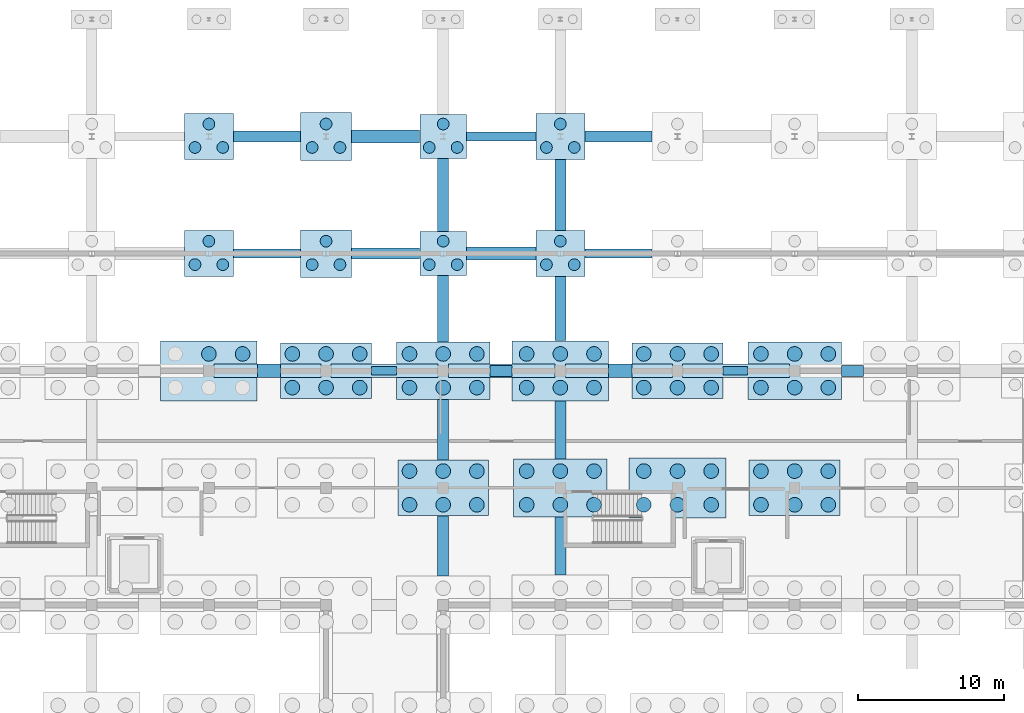
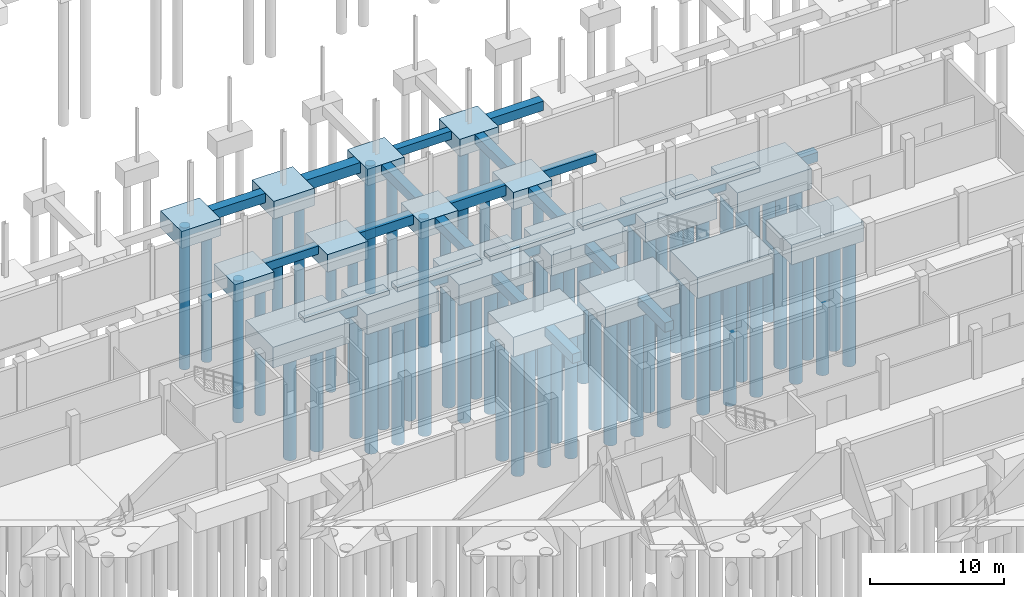
# One storey, part 15 of 51: 80 piles, 45 footings.
"""IFC4 building model written with IfcOpenShell, lengths in metres."""

from ifc_helpers import new_model, si_unit, direction, frame, origin, origin_2d, place, context, subcontext, project, spatial, rectangle, circle, extrude, material, material_profile, profile_set, type_object, element, save


model = new_model("IFC4")

# Units and contexts
model_context = context("Model", 3, precision=1e-05, world=origin(), true_north=direction((0.0, 1.0)))
body_context = subcontext(model_context, "Body", "Model", "MODEL_VIEW")
ifc_project = project(units=[si_unit("LENGTHUNIT", "METRE"), si_unit("AREAUNIT", "SQUARE_METRE"), si_unit("VOLUMEUNIT", "CUBIC_METRE"), si_unit("PLANEANGLEUNIT", "RADIAN"), si_unit("MASSUNIT", "GRAM", prefix="KILO")], contexts=[model_context])

# Site, building, storey
site_placement = place(None, origin())
site = spatial("IfcSite", under=ifc_project, at=site_placement, CompositionType="ELEMENT")
building_placement = place(site_placement, origin())
building = spatial("IfcBuilding", under=site, at=building_placement, Name="Jelvoka-Kovrelna Polytechnic", CompositionType="ELEMENT")
storey_placement = place(building_placement, frame((0.0, 0.0, -4.5)))
storey = spatial("IfcBuildingStorey", under=building, at=storey_placement, Name="B01", CompositionType="ELEMENT", Elevation=-4.5)

# Footings
ifc_material_1 = material(Name="Concrete C35/45", Category="concrete")
footing_type_1 = type_object("IfcFootingType", Name="Footing_PileCap_PC3A", PredefinedType="PILE_CAP", material=ifc_material_1)
for number, where, z_axis, x_axis, name in (
    (1, (152.0, 80.0, -1.905029296875), (0.0, 0.0, 1.0), (1.0, 0.0, 0.0), "Bored pile cap 228 (PC-3)"),
    (2, (152.0, 88.0, -1.905029296875), (0.0, 0.0, 1.0), (1.0, 0.0, 0.0), "Bored pile cap 243 (PC-3)"),
):
    element("IfcFooting", number, at=place(storey_placement, frame(where, z_axis=z_axis, x_axis=x_axis)), inside=storey, type_object=footing_type_1, Name=name, PredefinedType="PILE_CAP", context=body_context, shape_type="SweptSolid", body=[
        extrude(rectangle(XDim=3.199951171875, YDim=3.0, at=origin_2d()), origin(), (0.0, 0.0, 1.0), 1.5),
    ])
ifc_material_2 = material(Name="Concrete C35/45", Category="concrete")
footing_type_2 = type_object("IfcFootingType", Name="Footing_PileCap_PC3B", PredefinedType="PILE_CAP", material=ifc_material_2)
for number, where, z_axis, x_axis, name in (
    (3, (136.0, 80.0, -1.955078125), (0.0, 0.0, 1.0), (1.0, 0.0, 0.0), "Bored pile cap 226 (PC-3)"),
    (4, (160.0, 80.0, -1.955078125), (0.0, 0.0, 1.0), (1.0, 0.0, 0.0), "Bored pile cap 229 (PC-3)"),
    (5, (136.0, 88.0, -1.955078125), (0.0, 0.0, 1.0), (1.0, 0.0, 0.0), "Bored pile cap 241 (PC-3)"),
    (6, (160.0, 88.0, -1.955078125), (0.0, 0.0, 1.0), (1.0, 0.0, 0.0), "Bored pile cap 244 (PC-3)"),
):
    element("IfcFooting", number, at=place(storey_placement, frame(where, z_axis=z_axis, x_axis=x_axis)), inside=storey, type_object=footing_type_2, Name=name, PredefinedType="PILE_CAP", context=body_context, shape_type="SweptSolid", body=[
        extrude(rectangle(XDim=3.35009765625, YDim=3.14990234375, at=origin_2d()), origin(), (0.0, 0.0, 1.0), 1.550048828125),
    ])
ifc_material_3 = material(Name="Concrete C35/45", Category="concrete")
footing_type_3 = type_object("IfcFootingType", Name="Footing_PileCap_PC3C", PredefinedType="PILE_CAP", material=ifc_material_3)
for number, where, z_axis, x_axis, name in (
    (7, (144.0, 80.0, -2.005126953125), (0.0, 0.0, 1.0), (1.0, 0.0, 0.0), "Bored pile cap 227 (PC-3)"),
    (8, (144.0, 88.0, -2.005126953125), (0.0, 0.0, 1.0), (1.0, 0.0, 0.0), "Bored pile cap 242 (PC-3)"),
):
    element("IfcFooting", number, at=place(storey_placement, frame(where, z_axis=z_axis, x_axis=x_axis)), inside=storey, type_object=footing_type_3, Name=name, PredefinedType="PILE_CAP", context=body_context, shape_type="SweptSolid", body=[
        extrude(rectangle(XDim=3.5, YDim=3.25, at=origin_2d()), origin(), (0.0, 0.0, 1.0), 1.60009765625),
    ])
ifc_material_4 = material(Name="Concrete C35/45", Category="concrete")
footing_type_4 = type_object("IfcFootingType", Name="Footing_PileCap_PC6A", PredefinedType="PILE_CAP", material=ifc_material_4)
for number, where, z_axis, x_axis, name in (
    (9, (152.0, 64.0, -2.205078125), (0.0, 0.0, 1.0), (1.0, 0.0, 0.0), "Bored pile cap 195 (PC-6)"),
    (10, (176.0, 64.0, -2.205078125), (0.0, 0.0, 1.0), (1.0, 0.0, 0.0), "Bored pile cap 198 (PC-6)"),
    (11, (144.0, 72.0, -2.205078125), (0.0, 0.0, 1.0), (1.0, 0.0, 0.0), "Bored pile cap 213 (PC-6)"),
    (12, (168.0, 72.0, -2.205078125), (0.0, 0.0, 1.0), (1.0, 0.0, 0.0), "Bored pile cap 216 (PC-6)"),
):
    element("IfcFooting", number, at=place(storey_placement, frame(where, z_axis=z_axis, x_axis=x_axis)), inside=storey, type_object=footing_type_4, Name=name, PredefinedType="PILE_CAP", context=body_context, shape_type="SweptSolid", body=[
        extrude(rectangle(XDim=6.199951171875, YDim=3.800048828125, at=origin_2d()), origin(), (0.0, 0.0, 1.0), 1.800048828125),
    ])
ifc_material_5 = material(Name="Concrete C35/45", Category="concrete")
footing_type_5 = type_object("IfcFootingType", Name="Footing_PileCap_PC6B", PredefinedType="PILE_CAP", material=ifc_material_5)
for number, where, z_axis, x_axis, name in (
    (13, (160.0, 64.0, -2.255126953125), (0.0, 0.0, 1.0), (1.0, 0.0, 0.0), "Bored pile cap 196 (PC-6)"),
    (14, (152.0, 72.0, -2.255126953125), (0.0, 0.0, 1.0), (1.0, 0.0, 0.0), "Bored pile cap 214 (PC-6)"),
    (15, (176.0, 72.0, -2.255126953125), (0.0, 0.0, 1.0), (1.0, 0.0, 0.0), "Bored pile cap 217 (PC-6)"),
):
    element("IfcFooting", number, at=place(storey_placement, frame(where, z_axis=z_axis, x_axis=x_axis)), inside=storey, type_object=footing_type_5, Name=name, PredefinedType="PILE_CAP", context=body_context, shape_type="SweptSolid", body=[
        extrude(rectangle(XDim=6.39990234375, YDim=3.949951171875, at=origin_2d()), origin(), (0.0, 0.0, 1.0), 1.85009765625),
    ])
ifc_material_6 = material(Name="Concrete C35/45", Category="concrete")
footing_type_6 = type_object("IfcFootingType", Name="Footing_PileCap_PC6C", PredefinedType="PILE_CAP", material=ifc_material_6)
for number, where, z_axis, x_axis, name in (
    (16, (168.0, 64.0, -2.304931640625), (0.0, 0.0, 1.0), (1.0, 0.0, 0.0), "Bored pile cap 197 (PC-6)"),
    (17, (136.0, 72.0, -2.304931640625), (0.0, 0.0, 1.0), (1.0, 0.0, 0.0), "Bored pile cap 212 (PC-6)"),
    (18, (160.0, 72.0, -2.304931640625), (0.0, 0.0, 1.0), (1.0, 0.0, 0.0), "Bored pile cap 215 (PC-6)"),
):
    element("IfcFooting", number, at=place(storey_placement, frame(where, z_axis=z_axis, x_axis=x_axis)), inside=storey, type_object=footing_type_6, Name=name, PredefinedType="PILE_CAP", context=body_context, shape_type="SweptSolid", body=[
        extrude(rectangle(XDim=6.60009765625, YDim=4.10009765625, at=origin_2d()), origin(), (0.0, 0.0, 1.0), 1.89990234375),
    ])
ifc_material_7 = material(Name="Concrete C35/45", Category="concrete")
footing_type_7 = type_object("IfcFootingType", Name="Footing_Strip_SF1", PredefinedType="STRIP_FOOTING", material=ifc_material_7)
footing_1_placement = place(storey_placement, frame((139.96240234375, 80.0, -1.155029296875), z_axis=(0.0, 0.0, 1.0), x_axis=(1.0, 0.0, 0.0)))
element("IfcFooting", 19, at=footing_1_placement, inside=storey, type_object=footing_type_7, Name="Strip foundation tie beam 179", PredefinedType="STRIP_FOOTING", context=body_context, shape_type="SweptSolid", body=[
    extrude(rectangle(XDim=4.571044921875, YDim=0.60009765625, at=origin_2d()), origin(), (0.0, 0.0, 1.0), 0.75),
])
footing_2_placement = place(storey_placement, frame((147.949951171875, 72.0, -1.155029296875), z_axis=(0.0, 0.0, 1.0), x_axis=(1.0, 0.0, 0.0)))
element("IfcFooting", 20, at=footing_2_placement, inside=storey, type_object=footing_type_7, Name="Strip foundation tie beam 187", PredefinedType="STRIP_FOOTING", context=body_context, shape_type="SweptSolid", body=[
    extrude(rectangle(XDim=1.696044921875, YDim=0.60009765625, at=origin_2d()), origin(), (0.0, 0.0, 1.0), 0.75),
])
footing_3_placement = place(storey_placement, frame((155.96240234375, 88.0, -1.155029296875), z_axis=(0.0, 0.0, 1.0), x_axis=(1.0, 0.0, 0.0)))
element("IfcFooting", 21, at=footing_3_placement, inside=storey, type_object=footing_type_7, Name="Strip foundation tie beam 209", PredefinedType="STRIP_FOOTING", context=body_context, shape_type="SweptSolid", body=[
    extrude(rectangle(XDim=4.720947265625, YDim=0.60009765625, at=origin_2d()), origin(), (0.0, 0.0, 1.0), 0.75),
])
footing_4_placement = place(storey_placement, frame((163.96240234375, 80.0, -1.155029296875), z_axis=(0.0, 0.0, 1.0), x_axis=(1.0, 0.0, 0.0)))
element("IfcFooting", 22, at=footing_4_placement, inside=storey, type_object=footing_type_7, Name="Strip foundation tie beam 228", PredefinedType="STRIP_FOOTING", context=body_context, shape_type="SweptSolid", body=[
    extrude(rectangle(XDim=4.571044921875, YDim=0.60009765625, at=origin_2d()), origin(), (0.0, 0.0, 1.0), 0.75),
])
footing_5_placement = place(storey_placement, frame((171.949951171875, 72.0, -1.155029296875), z_axis=(0.0, 0.0, 1.0), x_axis=(1.0, 0.0, 0.0)))
element("IfcFooting", 23, at=footing_5_placement, inside=storey, type_object=footing_type_7, Name="Strip foundation tie beam 238", PredefinedType="STRIP_FOOTING", context=body_context, shape_type="SweptSolid", body=[
    extrude(rectangle(XDim=1.696044921875, YDim=0.60009765625, at=origin_2d()), origin(), (0.0, 0.0, 1.0), 0.75),
])
ifc_material_8 = material(Name="Concrete C35/45", Category="concrete")
footing_type_8 = type_object("IfcFootingType", Name="Footing_Strip_SF2", PredefinedType="STRIP_FOOTING", material=ifc_material_8)
footing_6_placement = place(storey_placement, frame((139.96240234375, 88.0, -1.255126953125), z_axis=(0.0, 0.0, 1.0), x_axis=(1.0, 0.0, 0.0)))
element("IfcFooting", 24, at=footing_6_placement, inside=storey, type_object=footing_type_8, Name="Strip foundation tie beam 180", PredefinedType="STRIP_FOOTING", context=body_context, shape_type="SweptSolid", body=[
    extrude(rectangle(XDim=4.571044921875, YDim=0.75, at=origin_2d()), origin(), (0.0, 0.0, 1.0), 0.85009765625),
])
footing_7_placement = place(storey_placement, frame((148.074951171875, 80.0, -1.255126953125), z_axis=(0.0, 0.0, 1.0), x_axis=(1.0, 0.0, 0.0)))
element("IfcFooting", 25, at=footing_7_placement, inside=storey, type_object=footing_type_8, Name="Strip foundation tie beam 188", PredefinedType="STRIP_FOOTING", context=body_context, shape_type="SweptSolid", body=[
    extrude(rectangle(XDim=4.64599609375, YDim=0.75, at=origin_2d()), origin(), (0.0, 0.0, 1.0), 0.85009765625),
])
for number, where, z_axis, x_axis, name in (
    (26, (152.0, 60.03759765625, -1.255126953125), (0.0, 0.0, 1.0), (0.0, 1.0, 0.0), "Strip foundation tie beam 203"),
    (27, (152.0, 67.96240234375, -1.255126953125), (0.0, 0.0, 1.0), (0.0, 1.0, 0.0), "Strip foundation tie beam 204"),
):
    element("IfcFooting", number, at=place(storey_placement, frame(where, z_axis=z_axis, x_axis=x_axis)), inside=storey, type_object=footing_type_8, Name=name, PredefinedType="STRIP_FOOTING", context=body_context, shape_type="SweptSolid", body=[
        extrude(rectangle(XDim=4.12109375, YDim=0.75, at=origin_2d()), origin(), (0.0, 0.0, 1.0), 0.85009765625),
    ])
footing_8_placement = place(storey_placement, frame((155.949951171875, 72.0, -1.255126953125), z_axis=(0.0, 0.0, 1.0), x_axis=(1.0, 0.0, 0.0)))
element("IfcFooting", 28, at=footing_8_placement, inside=storey, type_object=footing_type_8, Name="Strip foundation tie beam 205", PredefinedType="STRIP_FOOTING", context=body_context, shape_type="SweptSolid", body=[
    extrude(rectangle(XDim=1.49609375, YDim=0.75, at=origin_2d()), origin(), (0.0, 0.0, 1.0), 0.85009765625),
])
footing_9_placement = place(storey_placement, frame((152.0, 76.237548828125, -1.255126953125), z_axis=(0.0, 0.0, 1.0), x_axis=(0.0, 1.0, 0.0)))
element("IfcFooting", 29, at=footing_9_placement, inside=storey, type_object=footing_type_8, Name="Strip foundation tie beam 206", PredefinedType="STRIP_FOOTING", context=body_context, shape_type="SweptSolid", body=[
    extrude(rectangle(XDim=4.52099609375, YDim=0.75, at=origin_2d()), origin(), (0.0, 0.0, 1.0), 0.85009765625),
])
footing_10_placement = place(storey_placement, frame((152.0, 84.0, -1.255126953125), z_axis=(0.0, 0.0, 1.0), x_axis=(0.0, 1.0, 0.0)))
element("IfcFooting", 30, at=footing_10_placement, inside=storey, type_object=footing_type_8, Name="Strip foundation tie beam 208", PredefinedType="STRIP_FOOTING", context=body_context, shape_type="SweptSolid", body=[
    extrude(rectangle(XDim=4.99609375, YDim=0.75, at=origin_2d()), origin(), (0.0, 0.0, 1.0), 0.85009765625),
])
for number, where, z_axis, x_axis, name in (
    (31, (160.0, 60.03759765625, -1.255126953125), (0.0, 0.0, 1.0), (0.0, 1.0, 0.0), "Strip foundation tie beam 224"),
    (32, (160.0, 67.96240234375, -1.255126953125), (0.0, 0.0, 1.0), (0.0, 1.0, 0.0), "Strip foundation tie beam 225"),
):
    element("IfcFooting", number, at=place(storey_placement, frame(where, z_axis=z_axis, x_axis=x_axis)), inside=storey, type_object=footing_type_8, Name=name, PredefinedType="STRIP_FOOTING", context=body_context, shape_type="SweptSolid", body=[
        extrude(rectangle(XDim=3.970947265625, YDim=0.75, at=origin_2d()), origin(), (0.0, 0.0, 1.0), 0.85009765625),
    ])
footing_11_placement = place(storey_placement, frame((160.0, 76.237548828125, -1.255126953125), z_axis=(0.0, 0.0, 1.0), x_axis=(0.0, 1.0, 0.0)))
element("IfcFooting", 33, at=footing_11_placement, inside=storey, type_object=footing_type_8, Name="Strip foundation tie beam 227", PredefinedType="STRIP_FOOTING", context=body_context, shape_type="SweptSolid", body=[
    extrude(rectangle(XDim=4.37109375, YDim=0.75, at=origin_2d()), origin(), (0.0, 0.0, 1.0), 0.85009765625),
])
footing_12_placement = place(storey_placement, frame((160.0, 84.0, -1.255126953125), z_axis=(0.0, 0.0, 1.0), x_axis=(0.0, 1.0, 0.0)))
element("IfcFooting", 34, at=footing_12_placement, inside=storey, type_object=footing_type_8, Name="Strip foundation tie beam 229", PredefinedType="STRIP_FOOTING", context=body_context, shape_type="SweptSolid", body=[
    extrude(rectangle(XDim=4.845947265625, YDim=0.75, at=origin_2d()), origin(), (0.0, 0.0, 1.0), 0.85009765625),
])
footing_13_placement = place(storey_placement, frame((163.96240234375, 88.0, -1.255126953125), z_axis=(0.0, 0.0, 1.0), x_axis=(1.0, 0.0, 0.0)))
element("IfcFooting", 35, at=footing_13_placement, inside=storey, type_object=footing_type_8, Name="Strip foundation tie beam 230", PredefinedType="STRIP_FOOTING", context=body_context, shape_type="SweptSolid", body=[
    extrude(rectangle(XDim=4.571044921875, YDim=0.75, at=origin_2d()), origin(), (0.0, 0.0, 1.0), 0.85009765625),
])
footing_14_placement = place(storey_placement, frame((179.949951171875, 72.0, -1.255126953125), z_axis=(0.0, 0.0, 1.0), x_axis=(1.0, 0.0, 0.0)))
element("IfcFooting", 36, at=footing_14_placement, inside=storey, type_object=footing_type_8, Name="Strip foundation tie beam 247", PredefinedType="STRIP_FOOTING", context=body_context, shape_type="SweptSolid", body=[
    extrude(rectangle(XDim=1.49609375, YDim=0.75, at=origin_2d()), origin(), (0.0, 0.0, 1.0), 0.85009765625),
])
ifc_material_9 = material(Name="Concrete C35/45", Category="concrete")
footing_type_9 = type_object("IfcFootingType", Name="Footing_Strip_SF3", PredefinedType="STRIP_FOOTING", material=ifc_material_9)
footing_15_placement = place(storey_placement, frame((140.10009765625, 72.0, -1.35498046875), z_axis=(0.0, 0.0, 1.0), x_axis=(1.0, 0.0, 0.0)))
element("IfcFooting", 37, at=footing_15_placement, inside=storey, type_object=footing_type_9, Name="Strip foundation tie beam 178", PredefinedType="STRIP_FOOTING", context=body_context, shape_type="SweptSolid", body=[
    extrude(rectangle(XDim=1.595947265625, YDim=0.89990234375, at=origin_2d()), origin(), (0.0, 0.0, 1.0), 0.949951171875),
])
footing_16_placement = place(storey_placement, frame((148.074951171875, 88.0, -1.35498046875), z_axis=(0.0, 0.0, 1.0), x_axis=(1.0, 0.0, 0.0)))
element("IfcFooting", 38, at=footing_16_placement, inside=storey, type_object=footing_type_9, Name="Strip foundation tie beam 189", PredefinedType="STRIP_FOOTING", context=body_context, shape_type="SweptSolid", body=[
    extrude(rectangle(XDim=4.64599609375, YDim=0.89990234375, at=origin_2d()), origin(), (0.0, 0.0, 1.0), 0.949951171875),
])
footing_17_placement = place(storey_placement, frame((155.96240234375, 80.0, -1.35498046875), z_axis=(0.0, 0.0, 1.0), x_axis=(1.0, 0.0, 0.0)))
element("IfcFooting", 39, at=footing_17_placement, inside=storey, type_object=footing_type_9, Name="Strip foundation tie beam 207", PredefinedType="STRIP_FOOTING", context=body_context, shape_type="SweptSolid", body=[
    extrude(rectangle(XDim=4.720947265625, YDim=0.89990234375, at=origin_2d()), origin(), (0.0, 0.0, 1.0), 0.949951171875),
])
footing_18_placement = place(storey_placement, frame((164.10009765625, 72.0, -1.35498046875), z_axis=(0.0, 0.0, 1.0), x_axis=(1.0, 0.0, 0.0)))
element("IfcFooting", 40, at=footing_18_placement, inside=storey, type_object=footing_type_9, Name="Strip foundation tie beam 226", PredefinedType="STRIP_FOOTING", context=body_context, shape_type="SweptSolid", body=[
    extrude(rectangle(XDim=1.595947265625, YDim=0.89990234375, at=origin_2d()), origin(), (0.0, 0.0, 1.0), 0.949951171875),
])
for number, where, z_axis, x_axis, name in (
    (41, (140.0, 72.0, -0.40478515625), (0.0, 0.0, 1.0), (1.0, 0.0, 0.0), "Strip foundation plinth beam B01W-091"),
    (42, (148.0, 72.0, -0.40478515625), (0.0, 0.0, 1.0), (1.0, 0.0, 0.0), "Strip foundation plinth beam B01W-092"),
    (43, (156.0, 72.0, -0.40478515625), (0.0, 0.0, 1.0), (1.0, 0.0, 0.0), "Strip foundation plinth beam B01W-094"),
    (44, (164.0, 72.0, -0.40478515625), (0.0, 0.0, 1.0), (1.0, 0.0, 0.0), "Strip foundation plinth beam B01W-096"),
    (45, (172.0, 72.0, -0.40478515625), (0.0, 0.0, 1.0), (1.0, 0.0, 0.0), "Strip foundation plinth beam B01W-098"),
):
    element("IfcFooting", number, at=place(storey_placement, frame(where, z_axis=z_axis, x_axis=x_axis)), inside=storey, type_object=footing_type_9, Name=name, PredefinedType="STRIP_FOOTING", context=body_context, shape_type="SweptSolid", body=[
        extrude(rectangle(XDim=7.300048828125, YDim=0.89990234375, at=origin_2d()), origin(), (0.0, 0.0, 1.0), 0.405029296875),
    ])

# Piles
ifc_material_10 = material(Name="Concrete C35/45", Category="concrete")
ifc_material_profile_1 = material_profile(ifc_material_10, circle(Radius=0.5, at=origin_2d()), Name="PILE D1000")
ifc_profile_set_1 = profile_set([ifc_material_profile_1], Name="Concrete C35/45")
pile_type_1 = type_object("IfcPileType", Name="Pile_Bored_1000", PredefinedType="BORED", material=ifc_profile_set_1)
for number, where, z_axis, x_axis, name in (
    (46, (149.699951171875, 62.85009765625, -2.10498046875), (0.0, 0.0, -1.0), (1.0, 0.0, 0.0), "Bored concrete pile 195-1"),
    (47, (152.0, 62.85009765625, -2.10498046875), (0.0, 0.0, -1.0), (1.0, 0.0, 0.0), "Bored concrete pile 195-2"),
    (48, (154.300048828125, 62.85009765625, -2.10498046875), (0.0, 0.0, -1.0), (1.0, 0.0, 0.0), "Bored concrete pile 195-3"),
    (49, (149.699951171875, 65.14990234375, -2.10498046875), (0.0, 0.0, -1.0), (1.0, 0.0, 0.0), "Bored concrete pile 195-4"),
    (50, (152.0, 65.14990234375, -2.10498046875), (0.0, 0.0, -1.0), (1.0, 0.0, 0.0), "Bored concrete pile 195-5"),
    (51, (154.300048828125, 65.14990234375, -2.10498046875), (0.0, 0.0, -1.0), (1.0, 0.0, 0.0), "Bored concrete pile 195-6"),
):
    element("IfcPile", number, at=place(storey_placement, frame(where, z_axis=z_axis, x_axis=x_axis)), inside=storey, type_object=pile_type_1, Name=name, PredefinedType="BORED", context=body_context, shape_type="SweptSolid", body=[
        extrude(circle(Radius=0.5, at=origin_2d()), origin(), (0.0, 0.0, 1.0), 11.39501953125),
    ])
for number, where, z_axis, x_axis, name in (
    (52, (157.699951171875, 62.85009765625, -2.155029296875), (0.0, 0.0, -1.0), (1.0, 0.0, 0.0), "Bored concrete pile 196-1"),
    (53, (160.0, 62.85009765625, -2.155029296875), (0.0, 0.0, -1.0), (1.0, 0.0, 0.0), "Bored concrete pile 196-2"),
    (54, (162.300048828125, 62.85009765625, -2.155029296875), (0.0, 0.0, -1.0), (1.0, 0.0, 0.0), "Bored concrete pile 196-3"),
    (55, (157.699951171875, 65.14990234375, -2.155029296875), (0.0, 0.0, -1.0), (1.0, 0.0, 0.0), "Bored concrete pile 196-4"),
    (56, (160.0, 65.14990234375, -2.155029296875), (0.0, 0.0, -1.0), (1.0, 0.0, 0.0), "Bored concrete pile 196-5"),
    (57, (162.300048828125, 65.14990234375, -2.155029296875), (0.0, 0.0, -1.0), (1.0, 0.0, 0.0), "Bored concrete pile 196-6"),
):
    element("IfcPile", number, at=place(storey_placement, frame(where, z_axis=z_axis, x_axis=x_axis)), inside=storey, type_object=pile_type_1, Name=name, PredefinedType="BORED", context=body_context, shape_type="SweptSolid", body=[
        extrude(circle(Radius=0.5, at=origin_2d()), origin(), (0.0, 0.0, 1.0), 11.344970703125),
    ])
for number, where, z_axis, x_axis, name in (
    (58, (165.699951171875, 62.85009765625, -2.205078125), (0.0, 0.0, -1.0), (1.0, 0.0, 0.0), "Bored concrete pile 197-1"),
    (59, (168.0, 62.85009765625, -2.205078125), (0.0, 0.0, -1.0), (1.0, 0.0, 0.0), "Bored concrete pile 197-2"),
    (60, (170.300048828125, 62.85009765625, -2.205078125), (0.0, 0.0, -1.0), (1.0, 0.0, 0.0), "Bored concrete pile 197-3"),
    (61, (165.699951171875, 65.14990234375, -2.205078125), (0.0, 0.0, -1.0), (1.0, 0.0, 0.0), "Bored concrete pile 197-4"),
    (62, (168.0, 65.14990234375, -2.205078125), (0.0, 0.0, -1.0), (1.0, 0.0, 0.0), "Bored concrete pile 197-5"),
    (63, (170.300048828125, 65.14990234375, -2.205078125), (0.0, 0.0, -1.0), (1.0, 0.0, 0.0), "Bored concrete pile 197-6"),
):
    element("IfcPile", number, at=place(storey_placement, frame(where, z_axis=z_axis, x_axis=x_axis)), inside=storey, type_object=pile_type_1, Name=name, PredefinedType="BORED", context=body_context, shape_type="SweptSolid", body=[
        extrude(circle(Radius=0.5, at=origin_2d()), origin(), (0.0, 0.0, 1.0), 11.294921875),
    ])
for number, where, z_axis, x_axis, name in (
    (64, (173.699951171875, 62.85009765625, -2.10498046875), (0.0, 0.0, -1.0), (1.0, 0.0, 0.0), "Bored concrete pile 198-1"),
    (65, (176.0, 62.85009765625, -2.10498046875), (0.0, 0.0, -1.0), (1.0, 0.0, 0.0), "Bored concrete pile 198-2"),
    (66, (178.300048828125, 62.85009765625, -2.10498046875), (0.0, 0.0, -1.0), (1.0, 0.0, 0.0), "Bored concrete pile 198-3"),
    (67, (173.699951171875, 65.14990234375, -2.10498046875), (0.0, 0.0, -1.0), (1.0, 0.0, 0.0), "Bored concrete pile 198-4"),
    (68, (176.0, 65.14990234375, -2.10498046875), (0.0, 0.0, -1.0), (1.0, 0.0, 0.0), "Bored concrete pile 198-5"),
    (69, (178.300048828125, 65.14990234375, -2.10498046875), (0.0, 0.0, -1.0), (1.0, 0.0, 0.0), "Bored concrete pile 198-6"),
):
    element("IfcPile", number, at=place(storey_placement, frame(where, z_axis=z_axis, x_axis=x_axis)), inside=storey, type_object=pile_type_1, Name=name, PredefinedType="BORED", context=body_context, shape_type="SweptSolid", body=[
        extrude(circle(Radius=0.5, at=origin_2d()), origin(), (0.0, 0.0, 1.0), 11.39501953125),
    ])
for number, where, z_axis, x_axis, name in (
    (70, (136.0, 73.14990234375, -2.205078125), (0.0, 0.0, -1.0), (1.0, 0.0, 0.0), "Bored concrete pile 212-5"),
    (71, (138.300048828125, 73.14990234375, -2.205078125), (0.0, 0.0, -1.0), (1.0, 0.0, 0.0), "Bored concrete pile 212-6"),
):
    element("IfcPile", number, at=place(storey_placement, frame(where, z_axis=z_axis, x_axis=x_axis)), inside=storey, type_object=pile_type_1, Name=name, PredefinedType="BORED", context=body_context, shape_type="SweptSolid", body=[
        extrude(circle(Radius=0.5, at=origin_2d()), origin(), (0.0, 0.0, 1.0), 11.294921875),
    ])
for number, where, z_axis, x_axis, name in (
    (72, (141.699951171875, 70.85009765625, -2.10498046875), (0.0, 0.0, -1.0), (1.0, 0.0, 0.0), "Bored concrete pile 213-1"),
    (73, (144.0, 70.85009765625, -2.10498046875), (0.0, 0.0, -1.0), (1.0, 0.0, 0.0), "Bored concrete pile 213-2"),
    (74, (146.300048828125, 70.85009765625, -2.10498046875), (0.0, 0.0, -1.0), (1.0, 0.0, 0.0), "Bored concrete pile 213-3"),
    (75, (141.699951171875, 73.14990234375, -2.10498046875), (0.0, 0.0, -1.0), (1.0, 0.0, 0.0), "Bored concrete pile 213-4"),
    (76, (144.0, 73.14990234375, -2.10498046875), (0.0, 0.0, -1.0), (1.0, 0.0, 0.0), "Bored concrete pile 213-5"),
    (77, (146.300048828125, 73.14990234375, -2.10498046875), (0.0, 0.0, -1.0), (1.0, 0.0, 0.0), "Bored concrete pile 213-6"),
):
    element("IfcPile", number, at=place(storey_placement, frame(where, z_axis=z_axis, x_axis=x_axis)), inside=storey, type_object=pile_type_1, Name=name, PredefinedType="BORED", context=body_context, shape_type="SweptSolid", body=[
        extrude(circle(Radius=0.5, at=origin_2d()), origin(), (0.0, 0.0, 1.0), 11.39501953125),
    ])
for number, where, z_axis, x_axis, name in (
    (78, (149.699951171875, 70.85009765625, -2.155029296875), (0.0, 0.0, -1.0), (1.0, 0.0, 0.0), "Bored concrete pile 214-1"),
    (79, (152.0, 70.85009765625, -2.155029296875), (0.0, 0.0, -1.0), (1.0, 0.0, 0.0), "Bored concrete pile 214-2"),
    (80, (154.300048828125, 70.85009765625, -2.155029296875), (0.0, 0.0, -1.0), (1.0, 0.0, 0.0), "Bored concrete pile 214-3"),
    (81, (149.699951171875, 73.14990234375, -2.155029296875), (0.0, 0.0, -1.0), (1.0, 0.0, 0.0), "Bored concrete pile 214-4"),
    (82, (152.0, 73.14990234375, -2.155029296875), (0.0, 0.0, -1.0), (1.0, 0.0, 0.0), "Bored concrete pile 214-5"),
    (83, (154.300048828125, 73.14990234375, -2.155029296875), (0.0, 0.0, -1.0), (1.0, 0.0, 0.0), "Bored concrete pile 214-6"),
):
    element("IfcPile", number, at=place(storey_placement, frame(where, z_axis=z_axis, x_axis=x_axis)), inside=storey, type_object=pile_type_1, Name=name, PredefinedType="BORED", context=body_context, shape_type="SweptSolid", body=[
        extrude(circle(Radius=0.5, at=origin_2d()), origin(), (0.0, 0.0, 1.0), 11.344970703125),
    ])
for number, where, z_axis, x_axis, name in (
    (84, (157.699951171875, 70.85009765625, -2.205078125), (0.0, 0.0, -1.0), (1.0, 0.0, 0.0), "Bored concrete pile 215-1"),
    (85, (160.0, 70.85009765625, -2.205078125), (0.0, 0.0, -1.0), (1.0, 0.0, 0.0), "Bored concrete pile 215-2"),
    (86, (162.300048828125, 70.85009765625, -2.205078125), (0.0, 0.0, -1.0), (1.0, 0.0, 0.0), "Bored concrete pile 215-3"),
    (87, (157.699951171875, 73.14990234375, -2.205078125), (0.0, 0.0, -1.0), (1.0, 0.0, 0.0), "Bored concrete pile 215-4"),
    (88, (160.0, 73.14990234375, -2.205078125), (0.0, 0.0, -1.0), (1.0, 0.0, 0.0), "Bored concrete pile 215-5"),
    (89, (162.300048828125, 73.14990234375, -2.205078125), (0.0, 0.0, -1.0), (1.0, 0.0, 0.0), "Bored concrete pile 215-6"),
):
    element("IfcPile", number, at=place(storey_placement, frame(where, z_axis=z_axis, x_axis=x_axis)), inside=storey, type_object=pile_type_1, Name=name, PredefinedType="BORED", context=body_context, shape_type="SweptSolid", body=[
        extrude(circle(Radius=0.5, at=origin_2d()), origin(), (0.0, 0.0, 1.0), 11.294921875),
    ])
for number, where, z_axis, x_axis, name in (
    (90, (165.699951171875, 70.85009765625, -2.10498046875), (0.0, 0.0, -1.0), (1.0, 0.0, 0.0), "Bored concrete pile 216-1"),
    (91, (168.0, 70.85009765625, -2.10498046875), (0.0, 0.0, -1.0), (1.0, 0.0, 0.0), "Bored concrete pile 216-2"),
    (92, (170.300048828125, 70.85009765625, -2.10498046875), (0.0, 0.0, -1.0), (1.0, 0.0, 0.0), "Bored concrete pile 216-3"),
    (93, (165.699951171875, 73.14990234375, -2.10498046875), (0.0, 0.0, -1.0), (1.0, 0.0, 0.0), "Bored concrete pile 216-4"),
    (94, (168.0, 73.14990234375, -2.10498046875), (0.0, 0.0, -1.0), (1.0, 0.0, 0.0), "Bored concrete pile 216-5"),
    (95, (170.300048828125, 73.14990234375, -2.10498046875), (0.0, 0.0, -1.0), (1.0, 0.0, 0.0), "Bored concrete pile 216-6"),
):
    element("IfcPile", number, at=place(storey_placement, frame(where, z_axis=z_axis, x_axis=x_axis)), inside=storey, type_object=pile_type_1, Name=name, PredefinedType="BORED", context=body_context, shape_type="SweptSolid", body=[
        extrude(circle(Radius=0.5, at=origin_2d()), origin(), (0.0, 0.0, 1.0), 11.39501953125),
    ])
for number, where, z_axis, x_axis, name in (
    (96, (173.699951171875, 70.85009765625, -2.155029296875), (0.0, 0.0, -1.0), (1.0, 0.0, 0.0), "Bored concrete pile 217-1"),
    (97, (176.0, 70.85009765625, -2.155029296875), (0.0, 0.0, -1.0), (1.0, 0.0, 0.0), "Bored concrete pile 217-2"),
    (98, (178.300048828125, 70.85009765625, -2.155029296875), (0.0, 0.0, -1.0), (1.0, 0.0, 0.0), "Bored concrete pile 217-3"),
    (99, (173.699951171875, 73.14990234375, -2.155029296875), (0.0, 0.0, -1.0), (1.0, 0.0, 0.0), "Bored concrete pile 217-4"),
    (100, (176.0, 73.14990234375, -2.155029296875), (0.0, 0.0, -1.0), (1.0, 0.0, 0.0), "Bored concrete pile 217-5"),
    (101, (178.300048828125, 73.14990234375, -2.155029296875), (0.0, 0.0, -1.0), (1.0, 0.0, 0.0), "Bored concrete pile 217-6"),
):
    element("IfcPile", number, at=place(storey_placement, frame(where, z_axis=z_axis, x_axis=x_axis)), inside=storey, type_object=pile_type_1, Name=name, PredefinedType="BORED", context=body_context, shape_type="SweptSolid", body=[
        extrude(circle(Radius=0.5, at=origin_2d()), origin(), (0.0, 0.0, 1.0), 11.344970703125),
    ])
ifc_material_11 = material(Name="Concrete C35/45", Category="concrete")
ifc_material_profile_2 = material_profile(ifc_material_11, circle(Radius=0.39990234375, at=origin_2d()), Name="PILE D800")
ifc_profile_set_2 = profile_set([ifc_material_profile_2], Name="Concrete C35/45")
pile_type_2 = type_object("IfcPileType", Name="Pile_Bored_800", PredefinedType="BORED", material=ifc_profile_set_2)
for number, where, z_axis, x_axis, name in (
    (102, (135.050048828125, 79.25, -1.85498046875), (0.0, 0.0, -1.0), (1.0, 0.0, 0.0), "Bored concrete pile 226-1"),
    (103, (136.949951171875, 79.25, -1.85498046875), (0.0, 0.0, -1.0), (1.0, 0.0, 0.0), "Bored concrete pile 226-2"),
    (104, (136.0, 80.85009765625, -1.85498046875), (0.0, 0.0, -1.0), (1.0, 0.0, 0.0), "Bored concrete pile 226-3"),
):
    element("IfcPile", number, at=place(storey_placement, frame(where, z_axis=z_axis, x_axis=x_axis)), inside=storey, type_object=pile_type_2, Name=name, PredefinedType="BORED", context=body_context, shape_type="SweptSolid", body=[
        extrude(circle(Radius=0.39990234375, at=origin_2d()), origin(), (0.0, 0.0, 1.0), 11.64501953125),
    ])
for number, where, z_axis, x_axis, name in (
    (105, (143.050048828125, 79.25, -1.905029296875), (0.0, 0.0, -1.0), (1.0, 0.0, 0.0), "Bored concrete pile 227-1"),
    (106, (144.949951171875, 79.25, -1.905029296875), (0.0, 0.0, -1.0), (1.0, 0.0, 0.0), "Bored concrete pile 227-2"),
    (107, (144.0, 80.85009765625, -1.905029296875), (0.0, 0.0, -1.0), (1.0, 0.0, 0.0), "Bored concrete pile 227-3"),
):
    element("IfcPile", number, at=place(storey_placement, frame(where, z_axis=z_axis, x_axis=x_axis)), inside=storey, type_object=pile_type_2, Name=name, PredefinedType="BORED", context=body_context, shape_type="SweptSolid", body=[
        extrude(circle(Radius=0.39990234375, at=origin_2d()), origin(), (0.0, 0.0, 1.0), 11.594970703125),
    ])
for number, where, z_axis, x_axis, name in (
    (108, (151.050048828125, 79.25, -1.804931640625), (0.0, 0.0, -1.0), (1.0, 0.0, 0.0), "Bored concrete pile 228-1"),
    (109, (152.949951171875, 79.25, -1.804931640625), (0.0, 0.0, -1.0), (1.0, 0.0, 0.0), "Bored concrete pile 228-2"),
    (110, (152.0, 80.85009765625, -1.804931640625), (0.0, 0.0, -1.0), (1.0, 0.0, 0.0), "Bored concrete pile 228-3"),
):
    element("IfcPile", number, at=place(storey_placement, frame(where, z_axis=z_axis, x_axis=x_axis)), inside=storey, type_object=pile_type_2, Name=name, PredefinedType="BORED", context=body_context, shape_type="SweptSolid", body=[
        extrude(circle(Radius=0.39990234375, at=origin_2d()), origin(), (0.0, 0.0, 1.0), 11.695068359375),
    ])
for number, where, z_axis, x_axis, name in (
    (111, (159.050048828125, 79.25, -1.85498046875), (0.0, 0.0, -1.0), (1.0, 0.0, 0.0), "Bored concrete pile 229-1"),
    (112, (160.949951171875, 79.25, -1.85498046875), (0.0, 0.0, -1.0), (1.0, 0.0, 0.0), "Bored concrete pile 229-2"),
    (113, (160.0, 80.85009765625, -1.85498046875), (0.0, 0.0, -1.0), (1.0, 0.0, 0.0), "Bored concrete pile 229-3"),
    (114, (135.050048828125, 87.25, -1.85498046875), (0.0, 0.0, -1.0), (1.0, 0.0, 0.0), "Bored concrete pile 241-1"),
    (115, (136.949951171875, 87.25, -1.85498046875), (0.0, 0.0, -1.0), (1.0, 0.0, 0.0), "Bored concrete pile 241-2"),
    (116, (136.0, 88.85009765625, -1.85498046875), (0.0, 0.0, -1.0), (1.0, 0.0, 0.0), "Bored concrete pile 241-3"),
):
    element("IfcPile", number, at=place(storey_placement, frame(where, z_axis=z_axis, x_axis=x_axis)), inside=storey, type_object=pile_type_2, Name=name, PredefinedType="BORED", context=body_context, shape_type="SweptSolid", body=[
        extrude(circle(Radius=0.39990234375, at=origin_2d()), origin(), (0.0, 0.0, 1.0), 11.64501953125),
    ])
for number, where, z_axis, x_axis, name in (
    (117, (143.050048828125, 87.25, -1.905029296875), (0.0, 0.0, -1.0), (1.0, 0.0, 0.0), "Bored concrete pile 242-1"),
    (118, (144.949951171875, 87.25, -1.905029296875), (0.0, 0.0, -1.0), (1.0, 0.0, 0.0), "Bored concrete pile 242-2"),
    (119, (144.0, 88.85009765625, -1.905029296875), (0.0, 0.0, -1.0), (1.0, 0.0, 0.0), "Bored concrete pile 242-3"),
):
    element("IfcPile", number, at=place(storey_placement, frame(where, z_axis=z_axis, x_axis=x_axis)), inside=storey, type_object=pile_type_2, Name=name, PredefinedType="BORED", context=body_context, shape_type="SweptSolid", body=[
        extrude(circle(Radius=0.39990234375, at=origin_2d()), origin(), (0.0, 0.0, 1.0), 11.594970703125),
    ])
for number, where, z_axis, x_axis, name in (
    (120, (151.050048828125, 87.25, -1.804931640625), (0.0, 0.0, -1.0), (1.0, 0.0, 0.0), "Bored concrete pile 243-1"),
    (121, (152.949951171875, 87.25, -1.804931640625), (0.0, 0.0, -1.0), (1.0, 0.0, 0.0), "Bored concrete pile 243-2"),
    (122, (152.0, 88.85009765625, -1.804931640625), (0.0, 0.0, -1.0), (1.0, 0.0, 0.0), "Bored concrete pile 243-3"),
):
    element("IfcPile", number, at=place(storey_placement, frame(where, z_axis=z_axis, x_axis=x_axis)), inside=storey, type_object=pile_type_2, Name=name, PredefinedType="BORED", context=body_context, shape_type="SweptSolid", body=[
        extrude(circle(Radius=0.39990234375, at=origin_2d()), origin(), (0.0, 0.0, 1.0), 11.695068359375),
    ])
for number, where, z_axis, x_axis, name in (
    (123, (159.050048828125, 87.25, -1.85498046875), (0.0, 0.0, -1.0), (1.0, 0.0, 0.0), "Bored concrete pile 244-1"),
    (124, (160.949951171875, 87.25, -1.85498046875), (0.0, 0.0, -1.0), (1.0, 0.0, 0.0), "Bored concrete pile 244-2"),
    (125, (160.0, 88.85009765625, -1.85498046875), (0.0, 0.0, -1.0), (1.0, 0.0, 0.0), "Bored concrete pile 244-3"),
):
    element("IfcPile", number, at=place(storey_placement, frame(where, z_axis=z_axis, x_axis=x_axis)), inside=storey, type_object=pile_type_2, Name=name, PredefinedType="BORED", context=body_context, shape_type="SweptSolid", body=[
        extrude(circle(Radius=0.39990234375, at=origin_2d()), origin(), (0.0, 0.0, 1.0), 11.64501953125),
    ])

save(model, "model.ifc")
